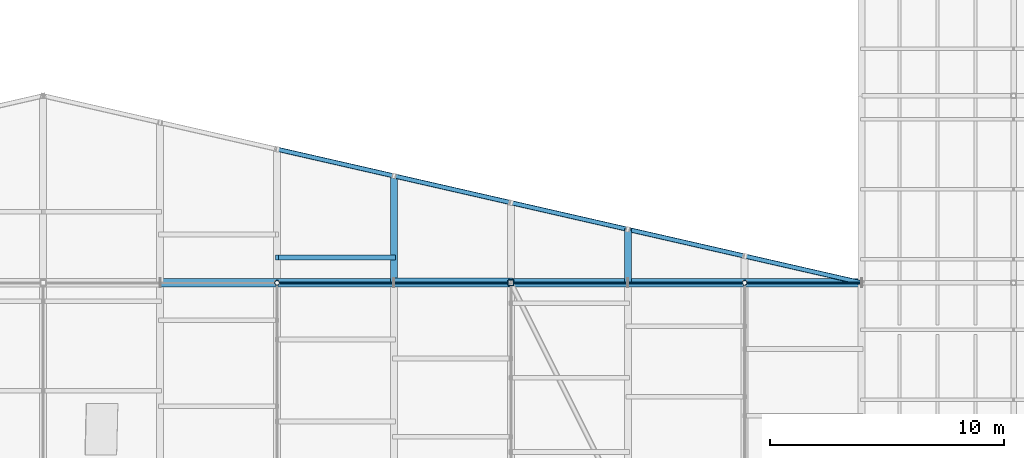
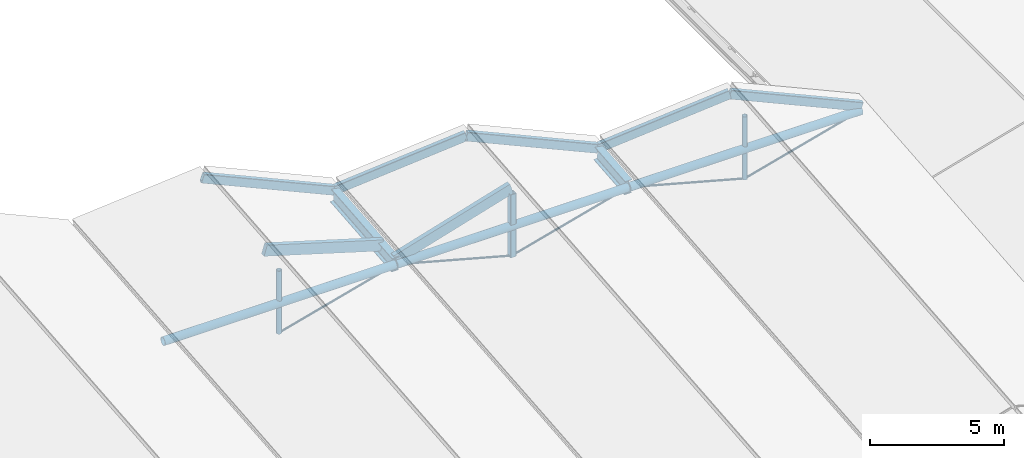
# One storey, part 55 of 90: 10 beams, 10 members.
"""IFC4 building model written with IfcOpenShell, lengths in metres."""

from ifc_helpers import new_model, si_unit, direction, frame, origin, origin_2d, place, context, subcontext, project, spatial, rectangle, hollow_rectangle, circle, hollow_circle, i_section, extrude, material, material_profile, profile_set, type_object, element, save


model = new_model("IFC4")

# Units and contexts
model_context = context("Model", 3, precision=1e-05, world=origin(), true_north=direction((0.0, 1.0)))
body_context = subcontext(model_context, "Body", "Model", "MODEL_VIEW")
ifc_project = project(units=[si_unit("LENGTHUNIT", "METRE"), si_unit("AREAUNIT", "SQUARE_METRE"), si_unit("VOLUMEUNIT", "CUBIC_METRE"), si_unit("PLANEANGLEUNIT", "RADIAN"), si_unit("MASSUNIT", "GRAM", prefix="KILO"), si_unit("THERMODYNAMICTEMPERATUREUNIT", "KELVIN"), si_unit("POWERUNIT", "WATT")], contexts=[model_context])

# Site, building, storey
site_placement = place(None, origin())
site = spatial("IfcSite", under=ifc_project, at=site_placement, CompositionType="ELEMENT")
building_placement = place(site_placement, origin())
building = spatial("IfcBuilding", under=site, at=building_placement, Name="Korenveer Ferry Terminal", CompositionType="ELEMENT")
storey_placement = place(building_placement, frame((0.0, 0.0, 22.199951171875)))
storey = spatial("IfcBuildingStorey", under=building, at=storey_placement, Name="RF", CompositionType="ELEMENT", Elevation=22.199951171875)

# Beams
ifc_material_1 = material(Name="Steel S355", Category="steel")
ifc_material_profile_1 = material_profile(ifc_material_1, i_section(OverallWidth=0.300048828125, OverallDepth=0.64990234375, WebThickness=0.01611328125, FlangeThickness=0.031005859375, FilletRadius=0.027099609375, at=origin_2d()), Name="HEB 650")
ifc_profile_set_1 = profile_set([ifc_material_profile_1], Name="Steel S355")
beam_type_1 = type_object("IfcBeamType", Name="STR-BM-HEB650", PredefinedType="BEAM", material=ifc_profile_set_1)
beam_1_placement = place(storey_placement, frame((103.0, 100.0, -4.1376953125), z_axis=(0.0, 0.995904097981, 0.090415859363), x_axis=(-1.0, 0.0, 0.0)))
element("IfcBeam", 1, at=beam_1_placement, inside=storey, type_object=beam_type_1, Name="Folded roof valley girder 47", PredefinedType="BEAM", context=body_context, shape_type="SweptSolid", body=[
    extrude(i_section(OverallWidth=0.300048828125, OverallDepth=0.64990234375, WebThickness=0.01611328125, FlangeThickness=0.031005859375, FilletRadius=0.027099609375, at=origin_2d()), origin(), (0.0, 0.0, 1.0), 4.59033203125),
])
beam_2_placement = place(storey_placement, frame((113.0, 100.0, -4.1376953125), z_axis=(0.0, 0.995903663151, 0.090420648759), x_axis=(-1.0, 0.0, 0.0)))
element("IfcBeam", 2, at=beam_2_placement, inside=storey, type_object=beam_type_1, Name="Folded roof valley girder 52", PredefinedType="BEAM", context=body_context, shape_type="SweptSolid", body=[
    extrude(i_section(OverallWidth=0.300048828125, OverallDepth=0.64990234375, WebThickness=0.01611328125, FlangeThickness=0.031005859375, FilletRadius=0.027099609375, at=origin_2d()), origin(), (0.0, 0.0, 1.0), 2.295166015625),
])

# Members
ifc_material_2 = material(Name="High-strength steel S460", Category="steel")
ifc_material_profile_2 = material_profile(ifc_material_2, circle(Radius=0.044921875, at=origin_2d()), Name="ROD D90")
ifc_profile_set_2 = profile_set([ifc_material_profile_2], Name="High-strength steel S460")
member_type_1 = type_object("IfcMemberType", Name="STR-CBL-D90", PredefinedType="USERDEFINED", material=ifc_profile_set_2)
for number, where, z_axis, x_axis, name in (
    (3, (103.0, 100.0, -4.1376953125), (-0.965424337217, 0.0, -0.260683426993), (0.0, -1.0, 0.0), "Roof tension tie cable 94"),
    (4, (103.0, 100.0, -4.1376953125), (0.965424337217, 0.0, -0.260683426993), (0.0, 1.0, 0.0), "Roof tension tie cable 95"),
    (5, (113.0, 100.0, -4.1376953125), (-0.965424337217, 0.0, -0.260683426993), (0.0, -1.0, 0.0), "Roof tension tie cable 96"),
    (6, (113.0, 100.0, -4.1376953125), (0.965424337217, 0.0, -0.260683426993), (0.0, 1.0, 0.0), "Roof tension tie cable 97"),
    (7, (123.0, 100.0, -4.1376953125), (-0.965424337217, 0.0, -0.260683426993), (0.0, -1.0, 0.0), "Roof tension tie cable 98"),
):
    element("IfcMember", number, at=place(storey_placement, frame(where, z_axis=z_axis, x_axis=x_axis)), inside=storey, type_object=member_type_1, Name=name, ObjectType="CABLE", PredefinedType="USERDEFINED", context=body_context, shape_type="SweptSolid", body=[
        extrude(circle(Radius=0.044921875, at=origin_2d()), origin(), (0.0, 0.0, 1.0), 5.178955078125),
    ])
ifc_material_3 = material(Name="Glulam GL28h", Category="wood")
ifc_material_profile_3 = material_profile(ifc_material_3, rectangle(XDim=0.199951171875, YDim=0.47998046875, at=origin_2d()), Name="GL 200x480")
ifc_profile_set_3 = profile_set([ifc_material_profile_3], Name="Glulam GL28h")
member_type_2 = type_object("IfcMemberType", Name="STR-PUR-GL200", PredefinedType="PURLIN", material=ifc_profile_set_3)
for number, where, z_axis, x_axis, name in (
    (8, (98.0, 101.083984375, -2.37109375), (0.957310140112, 0.0, -0.289062788401), (0.0, 1.0, 0.0), "Folded roof glulam purlin 180"),
    (9, (103.0, 100.1044921875, -3.969970703125), (0.957310140112, 0.0, 0.289062788401), (0.0, 1.0, 0.0), "Folded roof glulam purlin 210"),
):
    element("IfcMember", number, at=place(storey_placement, frame(where, z_axis=z_axis, x_axis=x_axis)), inside=storey, type_object=member_type_2, Name=name, PredefinedType="PURLIN", context=body_context, shape_type="SweptSolid", body=[
        extrude(rectangle(XDim=0.199951171875, YDim=0.47998046875, at=origin_2d()), origin(), (0.0, 0.0, 1.0), 5.222900390625),
    ])

# Beams
ifc_material_profile_4 = material_profile(ifc_material_1, hollow_circle(Radius=0.177734375, WallThickness=0.01611328125, at=origin_2d()), Name="CHS 355.6x16")
ifc_profile_set_4 = profile_set([ifc_material_profile_4], Name="Steel S355")
beam_type_2 = type_object("IfcBeamType", Name="STR-RFG-CHS355", PredefinedType="USERDEFINED", material=ifc_profile_set_4)
for number, where, z_axis, x_axis, name in (
    (10, (93.02001953125, 100.0, -4.1376953125), (1.0, 0.0, 0.0), (0.0, 1.0, 0.0), "Roof transverse tie girder 135"),
    (11, (103.02001953125, 100.0, -4.1376953125), (1.0, 0.0, 0.0), (0.0, 1.0, 0.0), "Roof transverse tie girder 136"),
    (12, (113.02001953125, 100.0, -4.1376953125), (1.0, 0.0, 0.0), (0.0, 1.0, 0.0), "Roof transverse tie girder 137"),
):
    element("IfcBeam", number, at=place(storey_placement, frame(where, z_axis=z_axis, x_axis=x_axis)), inside=storey, type_object=beam_type_2, Name=name, ObjectType="ROOF GIRDER", PredefinedType="USERDEFINED", context=body_context, shape_type="SweptSolid", body=[
        extrude(hollow_circle(Radius=0.177734375, WallThickness=0.01611328125, at=origin_2d()), origin(), (0.0, 0.0, 1.0), 9.9599609375),
    ])
ifc_material_profile_5 = material_profile(ifc_material_1, hollow_rectangle(XDim=0.199951171875, YDim=0.39990234375, WallThickness=0.01611328125, InnerFilletRadius=0.01611328125, OuterFilletRadius=0.02392578125, at=origin_2d()), Name="RHS 400x200x16")
ifc_profile_set_5 = profile_set([ifc_material_profile_5], Name="Steel S355")
beam_type_3 = type_object("IfcBeamType", Name="STR-SPD-RHS400", PredefinedType="SPANDREL", material=ifc_profile_set_5)
beam_3_placement = place(storey_placement, frame((98.0, 105.71435546875, -1.9091796875), z_axis=(0.92992872309, -0.212548650038, -0.300092721236), x_axis=(0.222818339044, 0.974859983683, 0.0)))
element("IfcBeam", 13, at=beam_3_placement, inside=storey, type_object=beam_type_3, Name="Prow roof perimeter ring beam BMFSC-B4-98", PredefinedType="SPANDREL", context=body_context, shape_type="SweptSolid", body=[
    extrude(hollow_rectangle(XDim=0.199951171875, YDim=0.39990234375, WallThickness=0.01611328125, InnerFilletRadius=0.01611328125, OuterFilletRadius=0.02392578125, at=origin_2d()), origin(), (0.0, 0.0, 1.0), 5.376708984375),
])
beam_4_placement = place(storey_placement, frame((103.0, 104.571533203125, -3.522705078125), z_axis=(0.940164367825, -0.214934061043, 0.264375321987), x_axis=(0.222863575635, 0.974849643102, 0.0)))
element("IfcBeam", 14, at=beam_4_placement, inside=storey, type_object=beam_type_3, Name="Prow roof perimeter ring beam BMFSC-B5-103", PredefinedType="SPANDREL", context=body_context, shape_type="SweptSolid", body=[
    extrude(hollow_rectangle(XDim=0.199951171875, YDim=0.39990234375, WallThickness=0.01611328125, InnerFilletRadius=0.01611328125, OuterFilletRadius=0.02392578125, at=origin_2d()), origin(), (0.0, 0.0, 1.0), 5.318115234375),
])
beam_5_placement = place(storey_placement, frame((108.0, 103.428466796875, -2.11669921875), z_axis=(0.92992872309, -0.212548650038, -0.300092721236), x_axis=(0.222818339044, 0.974859983683, 0.0)))
element("IfcBeam", 15, at=beam_5_placement, inside=storey, type_object=beam_type_3, Name="Prow roof perimeter ring beam BMFSC-B5-108", PredefinedType="SPANDREL", context=body_context, shape_type="SweptSolid", body=[
    extrude(hollow_rectangle(XDim=0.199951171875, YDim=0.39990234375, WallThickness=0.01611328125, InnerFilletRadius=0.01611328125, OuterFilletRadius=0.02392578125, at=origin_2d()), origin(), (0.0, 0.0, 1.0), 5.376708984375),
])
beam_6_placement = place(storey_placement, frame((113.0, 102.28564453125, -3.730224609375), z_axis=(0.940173643444, -0.214890274656, 0.264377930302), x_axis=(0.222818339044, 0.974859983683, 0.0)))
element("IfcBeam", 16, at=beam_6_placement, inside=storey, type_object=beam_type_3, Name="Prow roof perimeter ring beam BMFSC-B6-113", PredefinedType="SPANDREL", context=body_context, shape_type="SweptSolid", body=[
    extrude(hollow_rectangle(XDim=0.199951171875, YDim=0.39990234375, WallThickness=0.01611328125, InnerFilletRadius=0.01611328125, OuterFilletRadius=0.02392578125, at=origin_2d()), origin(), (0.0, 0.0, 1.0), 5.318115234375),
])
beam_7_placement = place(storey_placement, frame((118.0, 101.142822265625, -2.32421875), z_axis=(0.92992872309, -0.212548650038, -0.300092721236), x_axis=(0.222818339044, 0.974859983683, 0.0)))
element("IfcBeam", 17, at=beam_7_placement, inside=storey, type_object=beam_type_3, Name="Prow roof perimeter ring beam BMFSC-B6-118", PredefinedType="SPANDREL", context=body_context, shape_type="SweptSolid", body=[
    extrude(hollow_rectangle(XDim=0.199951171875, YDim=0.39990234375, WallThickness=0.01611328125, InnerFilletRadius=0.01611328125, OuterFilletRadius=0.02392578125, at=origin_2d()), origin(), (0.0, 0.0, 1.0), 5.376708984375),
])

# Members
ifc_material_profile_6 = material_profile(ifc_material_1, hollow_circle(Radius=0.109619140625, WallThickness=0.012451171875, at=origin_2d()), Name="CHS 219.1x12.5")
ifc_profile_set_6 = profile_set([ifc_material_profile_6], Name="Steel S355")
member_type_3 = type_object("IfcMemberType", Name="STR-STT-CHS219", PredefinedType="STRUT", material=ifc_profile_set_6)
for number, where, z_axis, x_axis, name in (
    (18, (98.0, 100.0, -5.48779296875), (0.0, 0.0, 1.0), (1.0, 0.0, 0.0), "Roof king-post strut STTKP-Y100-B4"),
    (19, (118.0, 100.0, -5.48779296875), (0.0, 0.0, 1.0), (1.0, 0.0, 0.0), "Roof king-post strut STTKP-Y100-B6"),
):
    element("IfcMember", number, at=place(storey_placement, frame(where, z_axis=z_axis, x_axis=x_axis)), inside=storey, type_object=member_type_3, Name=name, PredefinedType="STRUT", context=body_context, shape_type="SweptSolid", body=[
        extrude(hollow_circle(Radius=0.109619140625, WallThickness=0.012451171875, at=origin_2d()), origin(), (0.0, 0.0, 1.0), 2.85986328125),
    ])
ifc_material_profile_7 = material_profile(ifc_material_1, hollow_rectangle(XDim=0.25, YDim=0.25, WallThickness=0.012451171875, InnerFilletRadius=0.012451171875, OuterFilletRadius=0.018798828125, at=origin_2d()), Name="SHS 250x250x12.5")
ifc_profile_set_7 = profile_set([ifc_material_profile_7], Name="Steel S355")
member_type_4 = type_object("IfcMemberType", Name="STR-STT-SHS250", PredefinedType="STRUT", material=ifc_profile_set_7)
member_placement = place(storey_placement, frame((108.0, 100.0, -5.48779296875), z_axis=(0.0, 0.0, 1.0), x_axis=(1.0, 0.0, 0.0)))
element("IfcMember", 20, at=member_placement, inside=storey, type_object=member_type_4, Name="Roof king-post strut STTKP-Y100-B5", PredefinedType="STRUT", context=body_context, shape_type="SweptSolid", body=[
    extrude(hollow_rectangle(XDim=0.25, YDim=0.25, WallThickness=0.012451171875, InnerFilletRadius=0.012451171875, OuterFilletRadius=0.018798828125, at=origin_2d()), origin(), (0.0, 0.0, 1.0), 2.85986328125),
])

save(model, "model.ifc")
